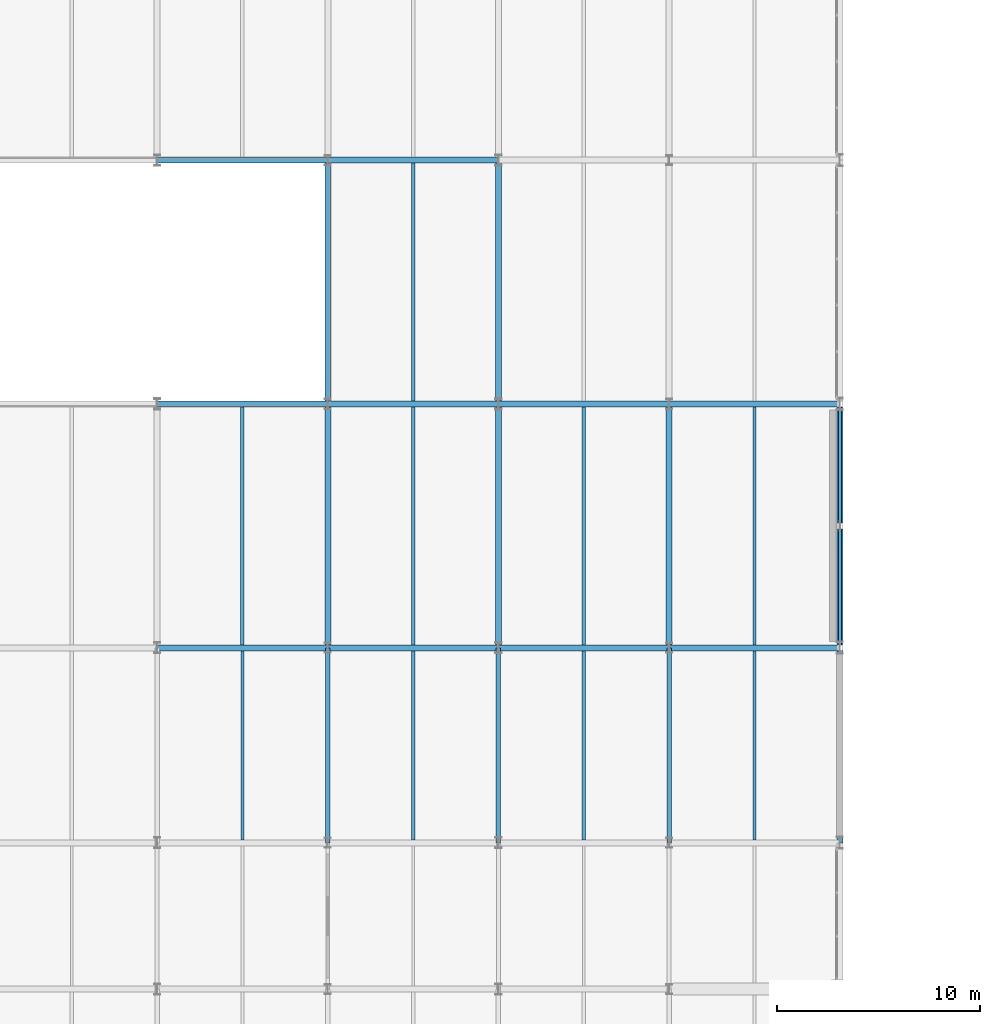
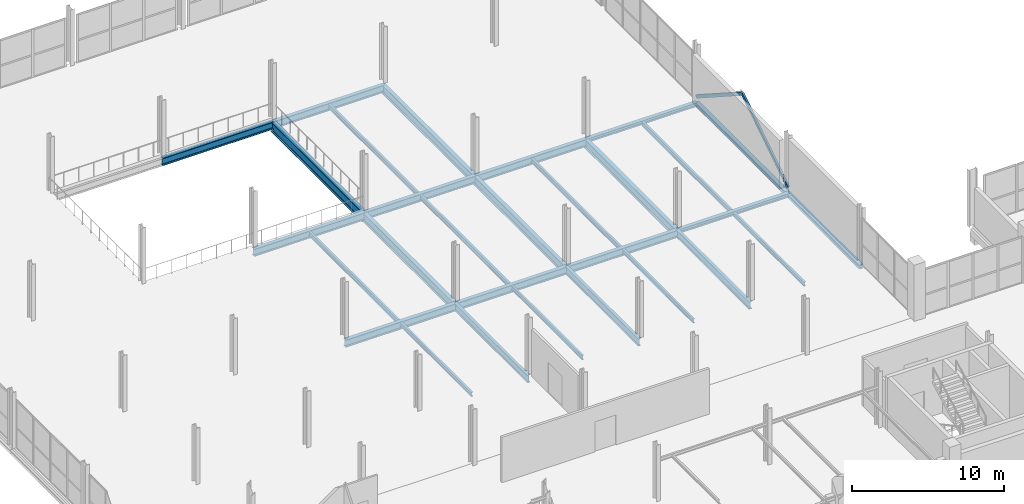
# One storey, part 47 of 109: 29 beams, 2 members.
"""IFC4 building model written with IfcOpenShell, lengths in metres."""

from ifc_helpers import new_model, si_unit, direction, frame, origin, origin_2d, place, context, subcontext, project, spatial, hollow_rectangle, i_section, extrude, material, material_profile, profile_set, type_object, element, save


model = new_model("IFC4")

# Units and contexts
model_context = context("Model", 3, precision=1e-05, world=origin(), true_north=direction((0.0, 1.0)))
body_context = subcontext(model_context, "Body", "Model", "MODEL_VIEW")
ifc_project = project(units=[si_unit("LENGTHUNIT", "METRE"), si_unit("AREAUNIT", "SQUARE_METRE"), si_unit("VOLUMEUNIT", "CUBIC_METRE"), si_unit("PLANEANGLEUNIT", "RADIAN"), si_unit("MASSUNIT", "GRAM", prefix="KILO")], contexts=[model_context])

# Site, building, storey
site_placement = place(None, origin())
site = spatial("IfcSite", under=ifc_project, at=site_placement, CompositionType="ELEMENT")
building_placement = place(site_placement, origin())
building = spatial("IfcBuilding", under=site, at=building_placement, Name="Veltarok Museum of Natural Sciences", CompositionType="ELEMENT")
storey_placement = place(building_placement, frame((0.0, 0.0, 17.39990234375)))
storey = spatial("IfcBuildingStorey", under=building, at=storey_placement, Name="L03", CompositionType="ELEMENT", Elevation=17.39990234375)

# Beams
ifc_material_1 = material(Name="Steel S355J2", Category="steel")
ifc_material_profile_1 = material_profile(ifc_material_1, i_section(OverallWidth=0.300048828125, OverallDepth=0.800048828125, WebThickness=0.017578125, FlangeThickness=0.032958984375, FilletRadius=0.030029296875, at=origin_2d()), Name="HEB 800")
ifc_profile_set_1 = profile_set([ifc_material_profile_1], Name="Steel S355J2")
beam_type_1 = type_object("IfcBeamType", Name="Atrium Edge Transfer Girder HEB 800", PredefinedType="BEAM", material=ifc_profile_set_1)
beam_1_placement = place(storey_placement, frame((73.60009765625, 48.0, -0.64990234375), z_axis=(0.0, 1.0, 0.0), x_axis=(-1.0, 0.0, 0.0)))
element("IfcBeam", 1, at=beam_1_placement, inside=storey, type_object=beam_type_1, Name="Beam BM-G06 L03 9/F-G", PredefinedType="BEAM", context=body_context, shape_type="SweptSolid", body=[
    extrude(i_section(OverallWidth=0.300048828125, OverallDepth=0.800048828125, WebThickness=0.017578125, FlangeThickness=0.032958984375, FilletRadius=0.030029296875, at=origin_2d()), origin(), (0.0, 0.0, 1.0), 12.0),
])
ifc_material_profile_2 = material_profile(ifc_material_1, i_section(OverallWidth=0.300048828125, OverallDepth=0.590087890625, WebThickness=0.012939453125, FlangeThickness=0.02490234375, FilletRadius=0.027099609375, at=origin_2d()), Name="HEA 600")
ifc_profile_set_2 = profile_set([ifc_material_profile_2], Name="Steel S355J2")
beam_type_2 = type_object("IfcBeamType", Name="Heavy Archive Girder HEA 600", PredefinedType="BEAM", material=ifc_profile_set_2)
beam_2_placement = place(storey_placement, frame((65.199951171875, 36.0, -0.544921875), z_axis=(1.0, 0.0, 0.0), x_axis=(0.0, 1.0, 0.0)))
element("IfcBeam", 2, at=beam_2_placement, inside=storey, type_object=beam_type_2, Name="Beam BM-G07 L03 8-9/E", PredefinedType="BEAM", context=body_context, shape_type="SweptSolid", body=[
    extrude(i_section(OverallWidth=0.300048828125, OverallDepth=0.590087890625, WebThickness=0.012939453125, FlangeThickness=0.02490234375, FilletRadius=0.027099609375, at=origin_2d()), origin(), (0.0, 0.0, 1.0), 8.400146484375),
])
for number, where, z_axis, x_axis, name in (
    (3, (73.60009765625, 36.0, -0.544921875), (1.0, 0.0, 0.0), (0.0, 1.0, 0.0), "Beam BM-G07 L03 9-10/E"),
    (4, (82.0, 36.0, -0.544921875), (1.0, 0.0, 0.0), (0.0, 1.0, 0.0), "Beam BM-G07 L03 10-11/E"),
):
    element("IfcBeam", number, at=place(storey_placement, frame(where, z_axis=z_axis, x_axis=x_axis)), inside=storey, type_object=beam_type_2, Name=name, PredefinedType="BEAM", context=body_context, shape_type="SweptSolid", body=[
        extrude(i_section(OverallWidth=0.300048828125, OverallDepth=0.590087890625, WebThickness=0.012939453125, FlangeThickness=0.02490234375, FilletRadius=0.027099609375, at=origin_2d()), origin(), (0.0, 0.0, 1.0), 8.39990234375),
    ])
beam_3_placement = place(storey_placement, frame((65.199951171875, 48.0, -0.544921875), z_axis=(1.0, 0.0, 0.0), x_axis=(0.0, 1.0, 0.0)))
element("IfcBeam", 5, at=beam_3_placement, inside=storey, type_object=beam_type_2, Name="Beam BM-G07 L03 8-9/F", PredefinedType="BEAM", context=body_context, shape_type="SweptSolid", body=[
    extrude(i_section(OverallWidth=0.300048828125, OverallDepth=0.590087890625, WebThickness=0.012939453125, FlangeThickness=0.02490234375, FilletRadius=0.027099609375, at=origin_2d()), origin(), (0.0, 0.0, 1.0), 8.400146484375),
])
for number, where, z_axis, x_axis, name in (
    (6, (73.60009765625, 48.0, -0.544921875), (1.0, 0.0, 0.0), (0.0, 1.0, 0.0), "Beam BM-G07 L03 9-10/F"),
    (7, (82.0, 48.0, -0.544921875), (1.0, 0.0, 0.0), (0.0, 1.0, 0.0), "Beam BM-G07 L03 10-11/F"),
):
    element("IfcBeam", number, at=place(storey_placement, frame(where, z_axis=z_axis, x_axis=x_axis)), inside=storey, type_object=beam_type_2, Name=name, PredefinedType="BEAM", context=body_context, shape_type="SweptSolid", body=[
        extrude(i_section(OverallWidth=0.300048828125, OverallDepth=0.590087890625, WebThickness=0.012939453125, FlangeThickness=0.02490234375, FilletRadius=0.027099609375, at=origin_2d()), origin(), (0.0, 0.0, 1.0), 8.39990234375),
    ])
beam_4_placement = place(storey_placement, frame((65.199951171875, 60.0, -0.544921875), z_axis=(1.0, 0.0, 0.0), x_axis=(0.0, 1.0, 0.0)))
element("IfcBeam", 8, at=beam_4_placement, inside=storey, type_object=beam_type_2, Name="Beam BM-G07 L03 8-9/G", PredefinedType="BEAM", context=body_context, shape_type="SweptSolid", body=[
    extrude(i_section(OverallWidth=0.300048828125, OverallDepth=0.590087890625, WebThickness=0.012939453125, FlangeThickness=0.02490234375, FilletRadius=0.027099609375, at=origin_2d()), origin(), (0.0, 0.0, 1.0), 8.400146484375),
])
beam_5_placement = place(storey_placement, frame((73.60009765625, 60.0, -0.544921875), z_axis=(1.0, 0.0, 0.0), x_axis=(0.0, 1.0, 0.0)))
element("IfcBeam", 9, at=beam_5_placement, inside=storey, type_object=beam_type_2, Name="Beam BM-G07 L03 9-10/G", PredefinedType="BEAM", context=body_context, shape_type="SweptSolid", body=[
    extrude(i_section(OverallWidth=0.300048828125, OverallDepth=0.590087890625, WebThickness=0.012939453125, FlangeThickness=0.02490234375, FilletRadius=0.027099609375, at=origin_2d()), origin(), (0.0, 0.0, 1.0), 8.39990234375),
])
ifc_material_profile_3 = material_profile(ifc_material_1, i_section(OverallWidth=0.169921875, OverallDepth=0.360107421875, WebThickness=0.008056640625, FlangeThickness=0.0126953125, FilletRadius=0.01806640625, at=origin_2d()), Name="IPE 360")
ifc_profile_set_3 = profile_set([ifc_material_profile_3], Name="Steel S355J2")
beam_type_3 = type_object("IfcBeamType", Name="Long-Bay Composite Joist IPE 360", PredefinedType="JOIST", material=ifc_profile_set_3)
for number, where, z_axis, x_axis, name in (
    (10, (69.39990234375, 36.14794921875, -0.429931640625), (0.0, 1.0, 0.0), (-1.0, 0.0, 0.0), "Secondary Joist BM-J01 L03 8-9/E-F.1"),
    (11, (77.800048828125, 36.14794921875, -0.429931640625), (0.0, 1.0, 0.0), (-1.0, 0.0, 0.0), "Secondary Joist BM-J01 L03 9-10/E-F.1"),
    (12, (77.800048828125, 48.14794921875, -0.429931640625), (0.0, 1.0, 0.0), (-1.0, 0.0, 0.0), "Secondary Joist BM-J01 L03 9-10/F-G.1"),
    (13, (86.199951171875, 36.14794921875, -0.429931640625), (0.0, 1.0, 0.0), (-1.0, 0.0, 0.0), "Secondary Joist BM-J01 L03 10-11/E-F.1"),
    (14, (94.60009765625, 36.14794921875, -0.429931640625), (0.0, 1.0, 0.0), (-1.0, 0.0, 0.0), "Secondary Joist BM-J01 L03 11-12/E-F.1"),
):
    element("IfcBeam", number, at=place(storey_placement, frame(where, z_axis=z_axis, x_axis=x_axis)), inside=storey, type_object=beam_type_3, Name=name, PredefinedType="JOIST", context=body_context, shape_type="SweptSolid", body=[
        extrude(i_section(OverallWidth=0.169921875, OverallDepth=0.360107421875, WebThickness=0.008056640625, FlangeThickness=0.0126953125, FilletRadius=0.01806640625, at=origin_2d()), origin(), (0.0, 0.0, 1.0), 11.7041015625),
    ])
ifc_material_profile_4 = material_profile(ifc_material_1, i_section(OverallWidth=0.300048828125, OverallDepth=0.699951171875, WebThickness=0.01708984375, FlangeThickness=0.031982421875, FilletRadius=0.027099609375, at=origin_2d()), Name="HEB 700")
ifc_profile_set_4 = profile_set([ifc_material_profile_4], Name="Steel S355J2")
beam_type_4 = type_object("IfcBeamType", Name="Long-Span Hall Girder HEB 700", PredefinedType="BEAM", material=ifc_profile_set_4)
for number, where, z_axis, x_axis, name in (
    (15, (73.60009765625, 36.0, -0.599853515625), (0.0, 1.0, 0.0), (-1.0, 0.0, 0.0), "Beam BM-G01 L03 9/E-F"),
    (16, (82.0, 36.0, -0.599853515625), (0.0, 1.0, 0.0), (-1.0, 0.0, 0.0), "Beam BM-G01 L03 10/E-F"),
    (17, (82.0, 48.0, -0.599853515625), (0.0, 1.0, 0.0), (-1.0, 0.0, 0.0), "Beam BM-G01 L03 10/F-G"),
    (18, (90.39990234375, 36.0, -0.599853515625), (0.0, 1.0, 0.0), (-1.0, 0.0, 0.0), "Beam BM-G01 L03 11/E-F"),
):
    element("IfcBeam", number, at=place(storey_placement, frame(where, z_axis=z_axis, x_axis=x_axis)), inside=storey, type_object=beam_type_4, Name=name, PredefinedType="BEAM", context=body_context, shape_type="SweptSolid", body=[
        extrude(i_section(OverallWidth=0.300048828125, OverallDepth=0.699951171875, WebThickness=0.01708984375, FlangeThickness=0.031982421875, FilletRadius=0.027099609375, at=origin_2d()), origin(), (0.0, 0.0, 1.0), 12.0),
    ])
ifc_material_profile_5 = material_profile(ifc_material_1, i_section(OverallWidth=0.159912109375, OverallDepth=0.330078125, WebThickness=0.007568359375, FlangeThickness=0.011474609375, FilletRadius=0.01806640625, at=origin_2d()), Name="IPE 330")
ifc_profile_set_5 = profile_set([ifc_material_profile_5], Name="Steel S355J2")
beam_type_5 = type_object("IfcBeamType", Name="Medium-Bay Composite Joist IPE 330", PredefinedType="JOIST", material=ifc_profile_set_5)
for number, where, z_axis, x_axis, name in (
    (19, (69.39990234375, 26.548095703125, -0.414794921875), (0.0, 1.0, 0.0), (-1.0, 0.0, 0.0), "Secondary Joist BM-J02 L03 8-9/D-E.1"),
    (20, (77.800048828125, 26.548095703125, -0.414794921875), (0.0, 1.0, 0.0), (-1.0, 0.0, 0.0), "Secondary Joist BM-J02 L03 9-10/D-E.1"),
    (21, (86.199951171875, 26.548095703125, -0.414794921875), (0.0, 1.0, 0.0), (-1.0, 0.0, 0.0), "Secondary Joist BM-J02 L03 10-11/D-E.1"),
    (22, (94.60009765625, 26.548095703125, -0.414794921875), (0.0, 1.0, 0.0), (-1.0, 0.0, 0.0), "Secondary Joist BM-J02 L03 11-12/D-E.1"),
):
    element("IfcBeam", number, at=place(storey_placement, frame(where, z_axis=z_axis, x_axis=x_axis)), inside=storey, type_object=beam_type_5, Name=name, PredefinedType="JOIST", context=body_context, shape_type="SweptSolid", body=[
        extrude(i_section(OverallWidth=0.159912109375, OverallDepth=0.330078125, WebThickness=0.007568359375, FlangeThickness=0.011474609375, FilletRadius=0.01806640625, at=origin_2d()), origin(), (0.0, 0.0, 1.0), 9.303955078125),
    ])
ifc_material_profile_6 = material_profile(ifc_material_1, i_section(OverallWidth=0.300048828125, OverallDepth=0.31005859375, WebThickness=0.009033203125, FlangeThickness=0.015380859375, FilletRadius=0.027099609375, at=origin_2d()), Name="HEA 320")
ifc_profile_set_6 = profile_set([ifc_material_profile_6], Name="Steel S355J2")
beam_type_6 = type_object("IfcBeamType", Name="Perimeter Edge Spandrel HEA 320", PredefinedType="SPANDREL", material=ifc_profile_set_6)
for number, where, z_axis, x_axis, name in (
    (23, (90.39990234375, 36.0, -0.40478515625), (1.0, 0.0, 0.0), (0.0, 1.0, 0.0), "Beam BM-SP04 L03 11-12/E"),
    (24, (90.39990234375, 48.0, -0.40478515625), (1.0, 0.0, 0.0), (0.0, 1.0, 0.0), "Beam BM-SP04 L03 11-12/F"),
):
    element("IfcBeam", number, at=place(storey_placement, frame(where, z_axis=z_axis, x_axis=x_axis)), inside=storey, type_object=beam_type_6, Name=name, PredefinedType="SPANDREL", context=body_context, shape_type="SweptSolid", body=[
        extrude(i_section(OverallWidth=0.300048828125, OverallDepth=0.31005859375, WebThickness=0.009033203125, FlangeThickness=0.015380859375, FilletRadius=0.027099609375, at=origin_2d()), origin(), (0.0, 0.0, 1.0), 8.400146484375),
    ])
beam_6_placement = place(storey_placement, frame((98.800048828125, 26.39990234375, -0.40478515625), z_axis=(0.0, 1.0, 0.0), x_axis=(-1.0, 0.0, 0.0)))
element("IfcBeam", 25, at=beam_6_placement, inside=storey, type_object=beam_type_6, Name="Beam BM-SP04 L03 12/D-E", PredefinedType="SPANDREL", context=body_context, shape_type="SweptSolid", body=[
    extrude(i_section(OverallWidth=0.300048828125, OverallDepth=0.31005859375, WebThickness=0.009033203125, FlangeThickness=0.015380859375, FilletRadius=0.027099609375, at=origin_2d()), origin(), (0.0, 0.0, 1.0), 9.60009765625),
])
beam_7_placement = place(storey_placement, frame((98.800048828125, 36.0, -0.40478515625), z_axis=(0.0, 1.0, 0.0), x_axis=(-1.0, 0.0, 0.0)))
element("IfcBeam", 26, at=beam_7_placement, inside=storey, type_object=beam_type_6, Name="Beam BM-SP04 L03 12/E-F", PredefinedType="SPANDREL", context=body_context, shape_type="SweptSolid", body=[
    extrude(i_section(OverallWidth=0.300048828125, OverallDepth=0.31005859375, WebThickness=0.009033203125, FlangeThickness=0.015380859375, FilletRadius=0.027099609375, at=origin_2d()), origin(), (0.0, 0.0, 1.0), 12.0),
])

# Members
ifc_material_2 = material(Name="Oxide-red painted Steel S355J2", Category="steel")
ifc_material_profile_7 = material_profile(ifc_material_2, hollow_rectangle(XDim=0.14990234375, YDim=0.25, WallThickness=0.010009765625, at=origin_2d()), Name="RHS 250x150x10")
ifc_profile_set_7 = profile_set([ifc_material_profile_7], Name="Oxide-red painted Steel S355J2")
member_type = type_object("IfcMemberType", Name="Perimeter Frame Lateral Brace RHS 250x150x10", PredefinedType="BRACE", material=ifc_profile_set_7)
for number, where, z_axis, x_axis, name in (
    (27, (98.800048828125, 36.0, 0.150146484375), (0.0, 0.840366487678, 0.54201860336), (-1.0, 0.0, 0.0), "Chevron Lateral Brace L03 12/E-F"),
    (28, (98.800048828125, 48.0, 0.150146484375), (0.0, -0.840366487678, 0.54201860336), (1.0, 0.0, 0.0), "Chevron Lateral Brace L03 12/E-F"),
):
    element("IfcMember", number, at=place(storey_placement, frame(where, z_axis=z_axis, x_axis=x_axis)), inside=storey, type_object=member_type, Name=name, PredefinedType="BRACE", context=body_context, shape_type="SweptSolid", body=[
        extrude(hollow_rectangle(XDim=0.14990234375, YDim=0.25, WallThickness=0.010009765625, at=origin_2d()), origin(), (0.0, 0.0, 1.0), 7.1396484375),
    ])

# Beams
ifc_material_profile_8 = material_profile(ifc_material_1, i_section(OverallWidth=0.219970703125, OverallDepth=0.60009765625, WebThickness=0.011962890625, FlangeThickness=0.01904296875, FilletRadius=0.02392578125, at=origin_2d()), Name="IPE 600")
ifc_profile_set_8 = profile_set([ifc_material_profile_8], Name="Steel S355J2")
beam_type_7 = type_object("IfcBeamType", Name="Primary Museum Girder IPE 600", PredefinedType="BEAM", material=ifc_profile_set_8)
for number, where, z_axis, x_axis, name in (
    (29, (73.60009765625, 26.39990234375, -0.5498046875), (0.0, 1.0, 0.0), (-1.0, 0.0, 0.0), "Beam BM-G02 L03 9/D-E"),
    (30, (82.0, 26.39990234375, -0.5498046875), (0.0, 1.0, 0.0), (-1.0, 0.0, 0.0), "Beam BM-G02 L03 10/D-E"),
    (31, (90.39990234375, 26.39990234375, -0.5498046875), (0.0, 1.0, 0.0), (-1.0, 0.0, 0.0), "Beam BM-G02 L03 11/D-E"),
):
    element("IfcBeam", number, at=place(storey_placement, frame(where, z_axis=z_axis, x_axis=x_axis)), inside=storey, type_object=beam_type_7, Name=name, PredefinedType="BEAM", context=body_context, shape_type="SweptSolid", body=[
        extrude(i_section(OverallWidth=0.219970703125, OverallDepth=0.60009765625, WebThickness=0.011962890625, FlangeThickness=0.01904296875, FilletRadius=0.02392578125, at=origin_2d()), origin(), (0.0, 0.0, 1.0), 9.60009765625),
    ])

save(model, "model.ifc")
